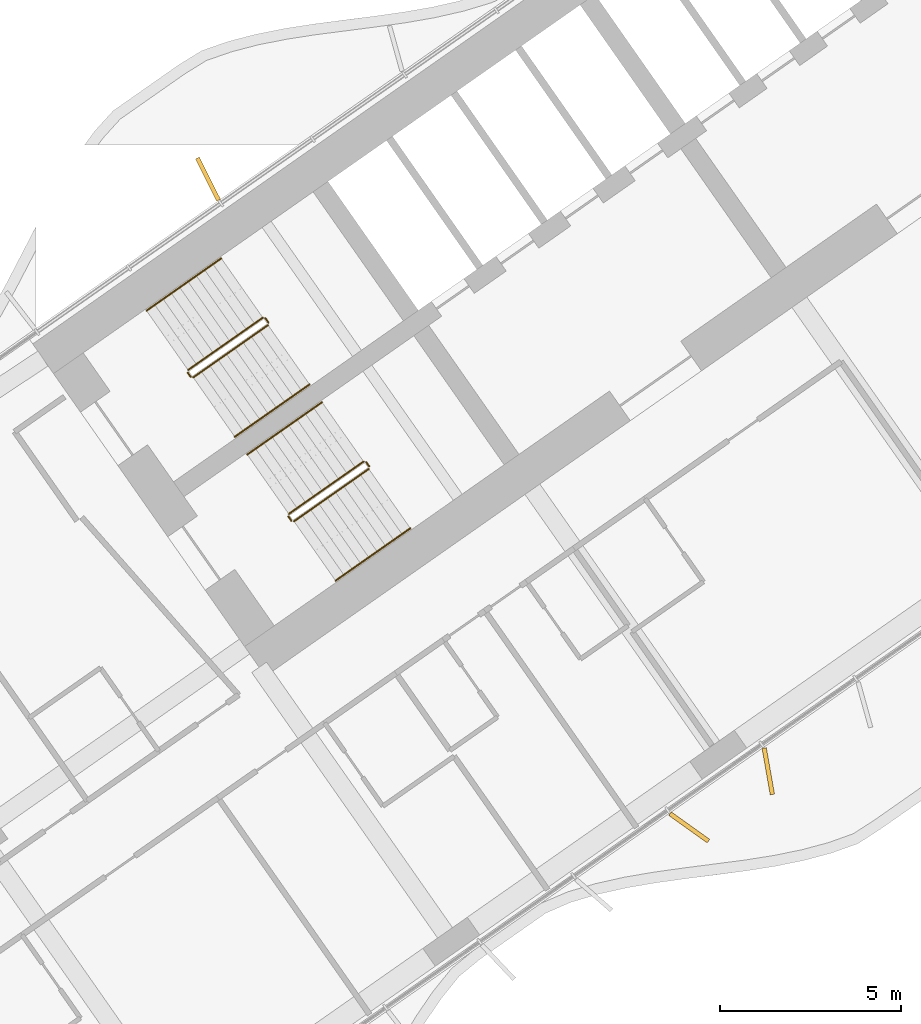
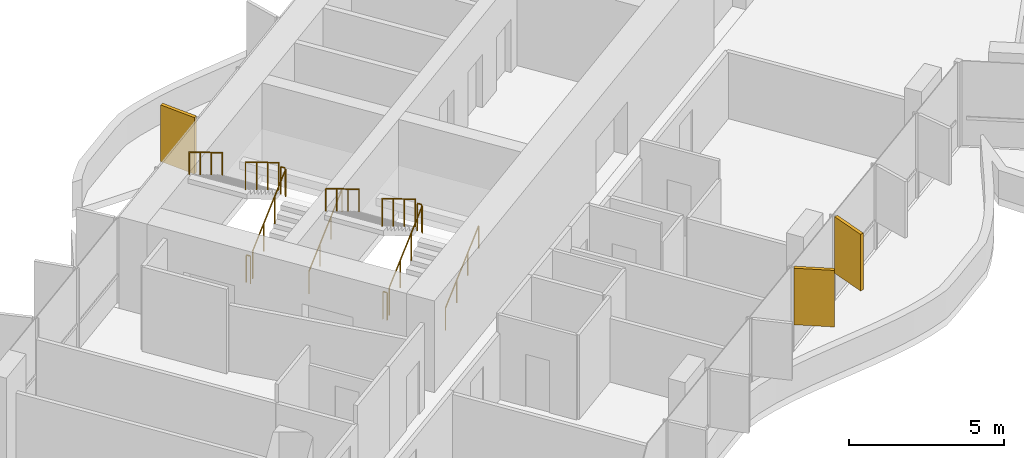
# One storey, part 19 of 23: 12 railings, 3 shading devices.
"""IFC4 building model written with IfcOpenShell, lengths in metres."""

from ifc_helpers import new_model, si_unit, direction, frame, origin, origin_2d, place, context, subcontext, project, spatial, rectangle, circle, extrude, material, layer, layer_set, type_object, element, save


model = new_model("IFC4")

# Units and contexts
model_context = context("Model", 3, precision=1e-05, world=origin(), true_north=direction((0.0, 1.0)))
body_context = subcontext(model_context, "Body", "Model", "MODEL_VIEW")
ifc_project = project(units=[si_unit("LENGTHUNIT", "METRE"), si_unit("AREAUNIT", "SQUARE_METRE"), si_unit("VOLUMEUNIT", "CUBIC_METRE"), si_unit("PLANEANGLEUNIT", "RADIAN"), si_unit("MASSUNIT", "GRAM", prefix="KILO")], contexts=[model_context])

# Site, building, storey
site_placement = place(None, origin())
site = spatial("IfcSite", under=ifc_project, at=site_placement, CompositionType="ELEMENT")
building_placement = place(site_placement, origin())
building = spatial("IfcBuilding", under=site, at=building_placement, Name="Tel Ilan Convention Tower", CompositionType="ELEMENT")
storey_placement = place(building_placement, frame((0.0, 0.0, 101.300048828125)))
storey = spatial("IfcBuildingStorey", under=building, at=storey_placement, Name="L21", CompositionType="ELEMENT", Elevation=101.300048828125)

# Shading devices
ifc_material_1 = material(Name="Aluminium, bronze anodised", Category="aluminium")
ifc_layer = layer(ifc_material_1, 0.1201171875)
ifc_layer_set = layer_set([ifc_layer], Name="FIN BRONZE 1300x120")
shading_device_type = type_object("IfcShadingDeviceType", Name="FIN BRONZE 1300x120", PredefinedType="USERDEFINED", material=ifc_layer_set)
for number, where, z_axis, x_axis, name in (
    (1, (-23.128662109375, -2.58154296875, 1.10009765625), (0.0, 0.0, 1.0), (-0.448799180206, 0.893632640321, 0.0), "FIN"),
    (2, (-9.84033203125, -20.48046875, 1.10009765625), (0.0, 0.0, 1.0), (0.813552070258, -0.581492071294, 0.0), "FIN"),
    (3, (-7.657958984375, -18.929931640625, 1.10009765625), (0.0, 0.0, 1.0), (0.173648177667, -0.984807753012, 0.0), "FIN"),
):
    element("IfcShadingDevice", number, at=place(storey_placement, frame(where, z_axis=z_axis, x_axis=x_axis)), inside=storey, type_object=shading_device_type, Name=name, ObjectType="FIN", PredefinedType="USERDEFINED", context=body_context, shape_type="SweptSolid", body=[
        extrude(rectangle(XDim=1.300048828125, YDim=0.1201171875, at=origin_2d()), origin(), (0.0, 0.0, 1.0), 2.219970703125),
    ])

# Railings
ifc_material_2 = material(Name="Stainless Steel Grade 316", Category="steel")
railing_type_1 = type_object("IfcRailingType", Name="Stainless Steel Stair Guard 1100 mm", PredefinedType="GUARDRAIL", material=ifc_material_2)
railing_1_placement = place(storey_placement, frame((-23.535400390625, -8.056396484375, 0.179931640625)))
element("IfcRailing", 4, at=railing_1_placement, inside=storey, type_object=railing_type_1, Name="L21 S1 stair guard 1", PredefinedType="GUARDRAIL", context=body_context, shape_type="SweptSolid", body=[
    extrude(circle(Radius=0.02392578125, at=origin_2d()), frame((0.0, 0.0, 1.076171875), z_axis=(0.689013013563, 0.482512838948, 0.540779462804), x_axis=(-0.573624882958, 0.819118119475, 0.0)), (0.0, 0.0, 1.0), 2.995849609375),
    extrude(circle(Radius=0.02099609375, at=origin_2d()), origin(), (0.0, 0.0, 1.0), 1.052001953125),
    extrude(circle(Radius=0.02099609375, at=origin_2d()), frame((0.68798828125, 0.48193359375, 0.5400390625)), (0.0, 0.0, 1.0), 1.052001953125),
    extrude(circle(Radius=0.02099609375, at=origin_2d()), frame((1.376220703125, 0.963623046875, 1.080078125)), (0.0, 0.0, 1.0), 1.052001953125),
    extrude(circle(Radius=0.02099609375, at=origin_2d()), frame((2.064208984375, 1.445556640625, 1.6201171875)), (0.0, 0.0, 1.0), 1.052001953125),
])
railing_2_placement = place(storey_placement, frame((-21.458984375, -6.541259765625, 1.800048828125)))
element("IfcRailing", 5, at=railing_2_placement, inside=storey, type_object=railing_type_1, Name="L21 S1 stair guard 2", PredefinedType="GUARDRAIL", context=body_context, shape_type="SweptSolid", body=[
    extrude(circle(Radius=0.02392578125, at=origin_2d()), frame((0.0, 0.0, 1.076171875), z_axis=(-0.573353020881, 0.819308436089, 0.0), x_axis=(-0.819308436089, -0.573353020881, 0.0)), (0.0, 0.0, 1.0), 0.14990234375),
    extrude(circle(Radius=0.02099609375, at=origin_2d()), origin(), (0.0, 0.0, 1.0), 1.052001953125),
    extrude(circle(Radius=0.02099609375, at=origin_2d()), frame((-0.0859375, 0.122802734375, 0.0)), (0.0, 0.0, 1.0), 1.052001953125),
])
railing_3_placement = place(storey_placement, frame((-21.614501953125, -6.406005859375, 1.97998046875)))
element("IfcRailing", 6, at=railing_3_placement, inside=storey, type_object=railing_type_1, Name="L21 S1 stair guard 3", PredefinedType="GUARDRAIL", context=body_context, shape_type="SweptSolid", body=[
    extrude(circle(Radius=0.02392578125, at=origin_2d()), frame((0.0, 0.0, 1.076171875), z_axis=(-0.689043377453, -0.48253410265, 0.540721798865), x_axis=(0.573624882958, -0.819118119475, 0.0)), (0.0, 0.0, 1.0), 2.995849609375),
    extrude(circle(Radius=0.02099609375, at=origin_2d()), origin(), (0.0, 0.0, 1.0), 1.052001953125),
    extrude(circle(Radius=0.02099609375, at=origin_2d()), frame((-0.68798828125, -0.48193359375, 0.5400390625)), (0.0, 0.0, 1.0), 1.052001953125),
    extrude(circle(Radius=0.02099609375, at=origin_2d()), frame((-1.376220703125, -0.963623046875, 1.079833984375)), (0.0, 0.0, 1.0), 1.052001953125),
    extrude(circle(Radius=0.02099609375, at=origin_2d()), frame((-2.064208984375, -1.445556640625, 1.619873046875)), (0.0, 0.0, 1.0), 1.052001953125),
])
railing_4_placement = place(storey_placement, frame((-23.60498046875, -8.0439453125, 0.0)))
element("IfcRailing", 7, at=railing_4_placement, inside=storey, type_object=railing_type_1, Name="L21 S1 stair guard 4", PredefinedType="GUARDRAIL", context=body_context, shape_type="SweptSolid", body=[
    extrude(circle(Radius=0.02392578125, at=origin_2d()), frame((0.0, 0.0, 1.076171875), z_axis=(-0.574444878118, 0.818543268254, 0.0), x_axis=(-0.818543268254, -0.574444878118, 0.0)), (0.0, 0.0, 1.0), 0.150146484375),
    extrude(circle(Radius=0.02099609375, at=origin_2d()), origin(), (0.0, 0.0, 1.0), 1.052001953125),
    extrude(circle(Radius=0.02099609375, at=origin_2d()), frame((-0.086181640625, 0.122802734375, 0.0)), (0.0, 0.0, 1.0), 1.052001953125),
])
railing_5_placement = place(storey_placement, frame((-20.753662109375, -12.029296875, 0.179931640625)))
element("IfcRailing", 8, at=railing_5_placement, inside=storey, type_object=railing_type_1, Name="L21 S2 stair guard 1", PredefinedType="GUARDRAIL", context=body_context, shape_type="SweptSolid", body=[
    extrude(circle(Radius=0.02392578125, at=origin_2d()), frame((0.0, 0.0, 1.076171875), z_axis=(0.689055814419, 0.482485747064, 0.540749099395), x_axis=(-0.573579365141, 0.81914999352, 0.0)), (0.0, 0.0, 1.0), 2.99609375),
    extrude(circle(Radius=0.02099609375, at=origin_2d()), origin(), (0.0, 0.0, 1.0), 1.052001953125),
    extrude(circle(Radius=0.02099609375, at=origin_2d()), frame((0.688232421875, 0.48193359375, 0.5400390625)), (0.0, 0.0, 1.0), 1.052001953125),
    extrude(circle(Radius=0.02099609375, at=origin_2d()), frame((1.376220703125, 0.963623046875, 1.080078125)), (0.0, 0.0, 1.0), 1.052001953125),
    extrude(circle(Radius=0.02099609375, at=origin_2d()), frame((2.064453125, 1.445556640625, 1.6201171875)), (0.0, 0.0, 1.0), 1.052001953125),
])
railing_6_placement = place(storey_placement, frame((-18.677001953125, -10.51416015625, 1.800048828125)))
element("IfcRailing", 9, at=railing_6_placement, inside=storey, type_object=railing_type_1, Name="L21 S2 stair guard 2", PredefinedType="GUARDRAIL", context=body_context, shape_type="SweptSolid", body=[
    extrude(circle(Radius=0.02392578125, at=origin_2d()), frame((0.0, 0.0, 1.076171875), z_axis=(-0.573353020881, 0.819308436089, 0.0), x_axis=(-0.819308436089, -0.573353020881, 0.0)), (0.0, 0.0, 1.0), 0.14990234375),
    extrude(circle(Radius=0.02099609375, at=origin_2d()), origin(), (0.0, 0.0, 1.0), 1.052001953125),
    extrude(circle(Radius=0.02099609375, at=origin_2d()), frame((-0.0859375, 0.122802734375, 0.0)), (0.0, 0.0, 1.0), 1.052001953125),
])
railing_7_placement = place(storey_placement, frame((-18.832763671875, -10.37890625, 1.97998046875)))
element("IfcRailing", 10, at=railing_7_placement, inside=storey, type_object=railing_type_1, Name="L21 S2 stair guard 3", PredefinedType="GUARDRAIL", context=body_context, shape_type="SweptSolid", body=[
    extrude(circle(Radius=0.02392578125, at=origin_2d()), frame((0.0, 0.0, 1.076171875), z_axis=(-0.689043377453, -0.48253410265, 0.540721798865), x_axis=(0.573624882958, -0.819118119475, 0.0)), (0.0, 0.0, 1.0), 2.995849609375),
    extrude(circle(Radius=0.02099609375, at=origin_2d()), origin(), (0.0, 0.0, 1.0), 1.052001953125),
    extrude(circle(Radius=0.02099609375, at=origin_2d()), frame((-0.68798828125, -0.48193359375, 0.5400390625)), (0.0, 0.0, 1.0), 1.052001953125),
    extrude(circle(Radius=0.02099609375, at=origin_2d()), frame((-1.376220703125, -0.963623046875, 1.079833984375)), (0.0, 0.0, 1.0), 1.052001953125),
    extrude(circle(Radius=0.02099609375, at=origin_2d()), frame((-2.064208984375, -1.445556640625, 1.619873046875)), (0.0, 0.0, 1.0), 1.052001953125),
])
railing_8_placement = place(storey_placement, frame((-20.8232421875, -12.016845703125, 0.0)))
element("IfcRailing", 11, at=railing_8_placement, inside=storey, type_object=railing_type_1, Name="L21 S2 stair guard 4", PredefinedType="GUARDRAIL", context=body_context, shape_type="SweptSolid", body=[
    extrude(circle(Radius=0.02392578125, at=origin_2d()), frame((0.0, 0.0, 1.076171875), z_axis=(-0.573353020881, 0.819308436089, 0.0), x_axis=(-0.819308436089, -0.573353020881, 0.0)), (0.0, 0.0, 1.0), 0.14990234375),
    extrude(circle(Radius=0.02099609375, at=origin_2d()), origin(), (0.0, 0.0, 1.0), 1.052001953125),
    extrude(circle(Radius=0.02099609375, at=origin_2d()), frame((-0.0859375, 0.122802734375, 0.0)), (0.0, 0.0, 1.0), 1.052001953125),
])
ifc_material_3 = material(Name="Stainless Steel Grade 316", Category="steel")
railing_type_2 = type_object("IfcRailingType", Name="Stainless Steel Stair Handrail 900 mm", PredefinedType="HANDRAIL", material=ifc_material_3)
railing_9_placement = place(storey_placement, frame((-22.38818359375, -9.694580078125, 0.179931640625)))
element("IfcRailing", 12, at=railing_9_placement, inside=storey, type_object=railing_type_2, Name="L21 S1 stair handrail 1", PredefinedType="HANDRAIL", context=body_context, shape_type="SweptSolid", body=[
    extrude(circle(Radius=0.02392578125, at=origin_2d()), frame((0.0, 0.0, 0.8759765625), z_axis=(0.689040105437, 0.482450316285, 0.54080072616), x_axis=(-0.573559875649, 0.819163639968, 0.0)), (0.0, 0.0, 1.0), 2.995849609375),
    extrude(circle(Radius=0.02099609375, at=origin_2d()), origin(), (0.0, 0.0, 1.0), 0.851806640625),
    extrude(circle(Radius=0.02099609375, at=origin_2d()), frame((0.68798828125, 0.481689453125, 0.5400390625)), (0.0, 0.0, 1.0), 0.851806640625),
    extrude(circle(Radius=0.02099609375, at=origin_2d()), frame((1.376220703125, 0.963623046875, 1.080078125)), (0.0, 0.0, 1.0), 0.851806640625),
    extrude(circle(Radius=0.02099609375, at=origin_2d()), frame((2.064208984375, 1.4453125, 1.6201171875)), (0.0, 0.0, 1.0), 0.851806640625),
])
railing_10_placement = place(storey_placement, frame((-22.76171875, -4.767822265625, 1.97998046875)))
element("IfcRailing", 13, at=railing_10_placement, inside=storey, type_object=railing_type_2, Name="L21 S1 stair handrail 2", PredefinedType="HANDRAIL", context=body_context, shape_type="SweptSolid", body=[
    extrude(circle(Radius=0.02392578125, at=origin_2d()), frame((0.0, 0.0, 0.8759765625), z_axis=(-0.68907047291, -0.482471578903, 0.540743061828), x_axis=(0.573559875649, -0.819163639968, 0.0)), (0.0, 0.0, 1.0), 2.99560546875),
    extrude(circle(Radius=0.02099609375, at=origin_2d()), origin(), (0.0, 0.0, 1.0), 0.851806640625),
    extrude(circle(Radius=0.02099609375, at=origin_2d()), frame((-0.68798828125, -0.481689453125, 0.5400390625)), (0.0, 0.0, 1.0), 0.851806640625),
    extrude(circle(Radius=0.02099609375, at=origin_2d()), frame((-1.376220703125, -0.963623046875, 1.079833984375)), (0.0, 0.0, 1.0), 0.851806640625),
    extrude(circle(Radius=0.02099609375, at=origin_2d()), frame((-2.064208984375, -1.4453125, 1.619873046875)), (0.0, 0.0, 1.0), 0.851806640625),
])
railing_11_placement = place(storey_placement, frame((-19.6064453125, -13.66748046875, 0.179931640625)))
element("IfcRailing", 14, at=railing_11_placement, inside=storey, type_object=railing_type_2, Name="L21 S2 stair handrail 1", PredefinedType="HANDRAIL", context=body_context, shape_type="SweptSolid", body=[
    extrude(circle(Radius=0.02392578125, at=origin_2d()), frame((0.0, 0.0, 0.8759765625), z_axis=(0.689040105437, 0.482450316285, 0.54080072616), x_axis=(-0.573559875649, 0.819163639968, 0.0)), (0.0, 0.0, 1.0), 2.995849609375),
    extrude(circle(Radius=0.02099609375, at=origin_2d()), origin(), (0.0, 0.0, 1.0), 0.851806640625),
    extrude(circle(Radius=0.02099609375, at=origin_2d()), frame((0.68798828125, 0.481689453125, 0.5400390625)), (0.0, 0.0, 1.0), 0.851806640625),
    extrude(circle(Radius=0.02099609375, at=origin_2d()), frame((1.376220703125, 0.963623046875, 1.080078125)), (0.0, 0.0, 1.0), 0.851806640625),
    extrude(circle(Radius=0.02099609375, at=origin_2d()), frame((2.064208984375, 1.4453125, 1.6201171875)), (0.0, 0.0, 1.0), 0.851806640625),
])
railing_12_placement = place(storey_placement, frame((-19.979736328125, -8.74072265625, 1.97998046875)))
element("IfcRailing", 15, at=railing_12_placement, inside=storey, type_object=railing_type_2, Name="L21 S2 stair handrail 2", PredefinedType="HANDRAIL", context=body_context, shape_type="SweptSolid", body=[
    extrude(circle(Radius=0.02392578125, at=origin_2d()), frame((0.0, 0.0, 0.8759765625), z_axis=(-0.689113270881, -0.482444484817, 0.540712695399), x_axis=(0.573514357932, -0.81919550856, 0.0)), (0.0, 0.0, 1.0), 2.995849609375),
    extrude(circle(Radius=0.02099609375, at=origin_2d()), origin(), (0.0, 0.0, 1.0), 0.851806640625),
    extrude(circle(Radius=0.02099609375, at=origin_2d()), frame((-0.688232421875, -0.481689453125, 0.5400390625)), (0.0, 0.0, 1.0), 0.851806640625),
    extrude(circle(Radius=0.02099609375, at=origin_2d()), frame((-1.376220703125, -0.963623046875, 1.079833984375)), (0.0, 0.0, 1.0), 0.851806640625),
    extrude(circle(Radius=0.02099609375, at=origin_2d()), frame((-2.064453125, -1.4453125, 1.619873046875)), (0.0, 0.0, 1.0), 0.851806640625),
])

save(model, "model.ifc")
